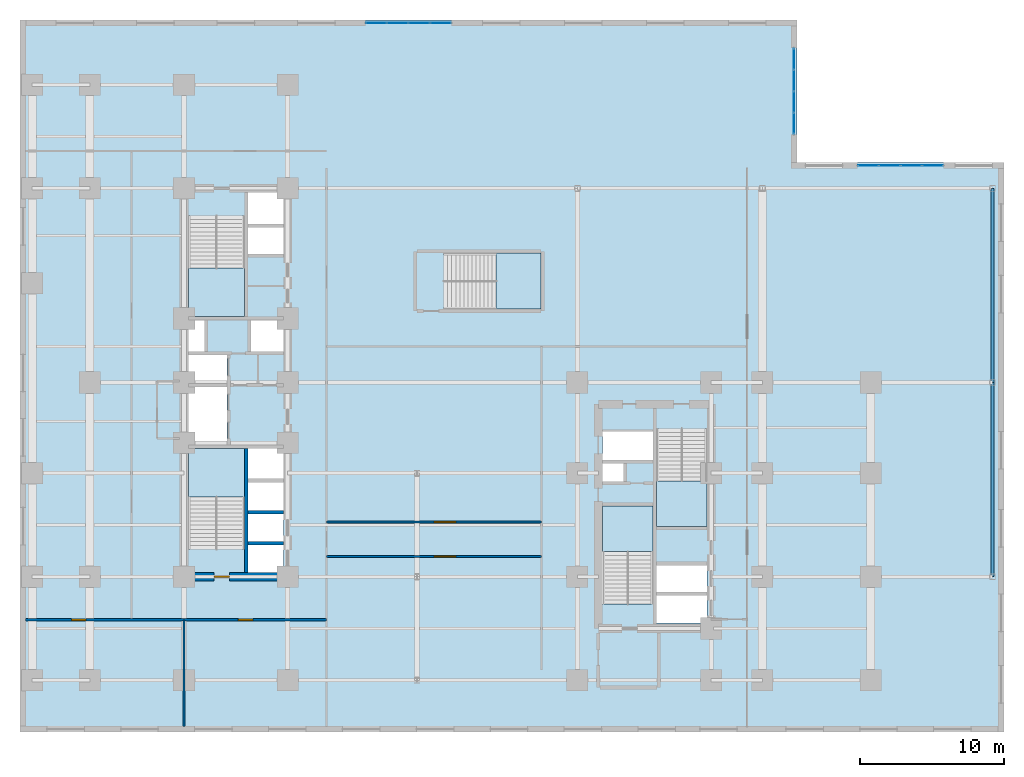
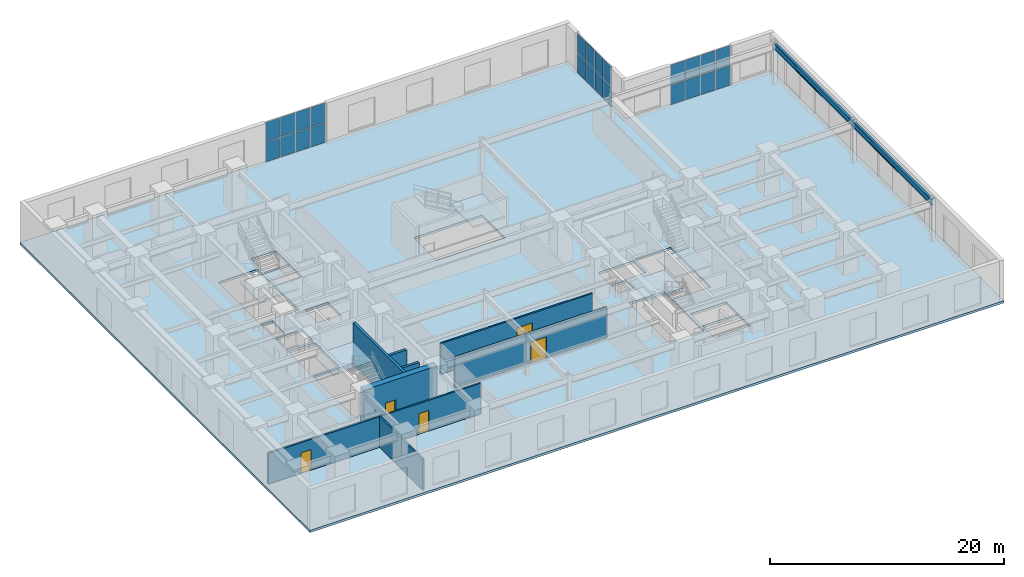
# One storey, part 8 of 15: 24 plates, 8 walls, 6 slabs, 5 doors, 2 beams, 5 openings, 8 elements without a shape of their own.
"""IFC4 building model written with IfcOpenShell, lengths in metres."""

from ifc_helpers import new_model, entity, si_unit, converted_unit, direction, frame, origin_with_axes, origin_2d_with_axis, place, context, subcontext, project, spatial, polyline, rectangle, i_section, outline, extrude, material, layer, layer_set, material_profile, profile_set, type_object, element, fill, aggregate, save


model = new_model("IFC4")

# Units and contexts
model_context = context("Model", 3, precision=1e-05, world=origin_with_axes(), true_north=direction((0.0, 1.0)))
body_context = subcontext(model_context, "Body", "Model", "MODEL_VIEW")
ifc_project = project(units=[si_unit("LENGTHUNIT", "METRE"), si_unit("AREAUNIT", "SQUARE_METRE"), si_unit("VOLUMEUNIT", "CUBIC_METRE"), converted_unit("PLANEANGLEUNIT", "DEGREE", entity("IfcPlaneAngleMeasure", 0.017453292519943295), si_unit("PLANEANGLEUNIT", "RADIAN"), dimensions=[0, 0, 0, 0, 0, 0, 0]), si_unit("MASSUNIT", "GRAM", prefix="KILO"), si_unit("THERMODYNAMICTEMPERATUREUNIT", "KELVIN")], contexts=[model_context])

# Site, building, storey
site_placement = place(None, origin_with_axes())
site = spatial("IfcSite", under=ifc_project, at=site_placement, CompositionType="ELEMENT")
building_placement = place(site_placement, origin_with_axes())
building = spatial("IfcBuilding", under=site, at=building_placement, Name="Varnlund Millrace Tower", CompositionType="ELEMENT")
storey_placement = place(building_placement, frame((0.0, 0.0, 10.8), z_axis=(0.0, 0.0, 1.0), x_axis=(1.0, 0.0, 0.0)))
storey = spatial("IfcBuildingStorey", under=building, at=storey_placement, Name="L02", CompositionType="ELEMENT", Elevation=10.8)

# Beams
ifc_material_1 = material(Name="Steel ASTM A992 Grade 50", Category="steel")
ifc_material_profile = material_profile(ifc_material_1, i_section(OverallWidth=0.228, OverallDepth=0.607, WebThickness=0.0112, FlangeThickness=0.0173, FilletRadius=0.015, at=origin_2d_with_axis()), Name="Steel ASTM A992 Grade 50")
ifc_profile_set = profile_set([ifc_material_profile], Name="Steel ASTM A992 Grade 50")
beam_type = type_object("IfcBeamType", Name="Type-Beam-W24X76", PredefinedType="BEAM", material=ifc_profile_set)
for number, where, z_axis, x_axis, name in (
    (1, (67.6, 10.8, 3.9565), (0.0, 1.0, 0.0), (-1.0, 0.0, 0.0), "Type-Beam-W24X76"),
    (2, (67.6, 24.3, 3.9565), (0.0, 1.0, 0.0), (-1.0, 0.0, 0.0), "Type-Beam-W24X76"),
):
    element("IfcBeam", number, at=place(storey_placement, frame(where, z_axis=z_axis, x_axis=x_axis)), inside=storey, type_object=beam_type, Name=name, PredefinedType="BEAM", context=body_context, shape_type="SweptSolid", body=[
        extrude(i_section(OverallWidth=0.228, OverallDepth=0.607, WebThickness=0.0112, FlangeThickness=0.0173, FilletRadius=0.015, at=origin_2d_with_axis()), origin_with_axes(), (0.0, 0.0, 1.0), 13.5),
    ])

# Curtain wall, plates
ifc_material_2 = material(Name="Thermally broken architectural bronze curtain wall", Category="aluminium")
curtain_wall_type = type_object("IfcCurtainWallType", Name="Type-CW-Sys3-PortalBridge", PredefinedType="NOTDEFINED", material=ifc_material_2)
curtain_wall_1_placement = place(storey_placement, frame((58.2, 39.39, 0.0), z_axis=(0.0, 0.0, 1.0), x_axis=(1.0, 0.0, 0.0)))
curtain_wall_1 = element("IfcCurtainWall", 3, at=curtain_wall_1_placement, inside=storey, type_object=curtain_wall_type, Name="Type-CW-Sys3-PortalBridge", PredefinedType="NOTDEFINED")
ifc_material_3 = material(Name="Low-e argon triple-glazed curtain-wall unit", Category="glass")
ifc_layer_1 = layer(ifc_material_3, 0.028, Name="Low-e argon triple-glazed curtain-wall unit")
ifc_layer_set_1 = layer_set([ifc_layer_1], Name="Low-e argon triple-glazed curtain-wall unit")
plate_type = type_object("IfcPlateType", Name="Type-CW-Panel-TripleGlazed-28", PredefinedType="CURTAIN_PANEL", material=ifc_layer_set_1)
plate_1_placement = place(storey_placement, frame((58.965, 39.39, 0.06), z_axis=(0.0, 0.0, 1.0), x_axis=(1.0, 0.0, 0.0)))
plate_1 = element("IfcPlate", 4, at=plate_1_placement, type_object=plate_type, Name="CW-03 panel 1.1", PredefinedType="CURTAIN_PANEL", context=body_context, shape_type="SweptSolid", body=[
    extrude(rectangle(XDim=1.41, YDim=0.028, at=origin_2d_with_axis()), origin_with_axes(), (0.0, 0.0, 1.0), 2.04),
])
plate_2_placement = place(storey_placement, frame((58.965, 39.39, 2.16), z_axis=(0.0, 0.0, 1.0), x_axis=(1.0, 0.0, 0.0)))
plate_2 = element("IfcPlate", 5, at=plate_2_placement, type_object=plate_type, Name="CW-03 panel 1.2", PredefinedType="CURTAIN_PANEL", context=body_context, shape_type="SweptSolid", body=[
    extrude(rectangle(XDim=1.41, YDim=0.028, at=origin_2d_with_axis()), origin_with_axes(), (0.0, 0.0, 1.0), 2.04),
])
plate_3_placement = place(storey_placement, frame((60.45, 39.39, 0.06), z_axis=(0.0, 0.0, 1.0), x_axis=(1.0, 0.0, 0.0)))
plate_3 = element("IfcPlate", 6, at=plate_3_placement, type_object=plate_type, Name="CW-03 panel 2.1", PredefinedType="CURTAIN_PANEL", context=body_context, shape_type="SweptSolid", body=[
    extrude(rectangle(XDim=1.44, YDim=0.028, at=origin_2d_with_axis()), origin_with_axes(), (0.0, 0.0, 1.0), 2.04),
])
plate_4_placement = place(storey_placement, frame((60.45, 39.39, 2.16), z_axis=(0.0, 0.0, 1.0), x_axis=(1.0, 0.0, 0.0)))
plate_4 = element("IfcPlate", 7, at=plate_4_placement, type_object=plate_type, Name="CW-03 panel 2.2", PredefinedType="CURTAIN_PANEL", context=body_context, shape_type="SweptSolid", body=[
    extrude(rectangle(XDim=1.44, YDim=0.028, at=origin_2d_with_axis()), origin_with_axes(), (0.0, 0.0, 1.0), 2.04),
])
plate_5_placement = place(storey_placement, frame((61.95, 39.39, 0.06), z_axis=(0.0, 0.0, 1.0), x_axis=(1.0, 0.0, 0.0)))
plate_5 = element("IfcPlate", 8, at=plate_5_placement, type_object=plate_type, Name="CW-03 panel 3.1", PredefinedType="CURTAIN_PANEL", context=body_context, shape_type="SweptSolid", body=[
    extrude(rectangle(XDim=1.44, YDim=0.028, at=origin_2d_with_axis()), origin_with_axes(), (0.0, 0.0, 1.0), 2.04),
])
plate_6_placement = place(storey_placement, frame((61.95, 39.39, 2.16), z_axis=(0.0, 0.0, 1.0), x_axis=(1.0, 0.0, 0.0)))
plate_6 = element("IfcPlate", 9, at=plate_6_placement, type_object=plate_type, Name="CW-03 panel 3.2", PredefinedType="CURTAIN_PANEL", context=body_context, shape_type="SweptSolid", body=[
    extrude(rectangle(XDim=1.44, YDim=0.028, at=origin_2d_with_axis()), origin_with_axes(), (0.0, 0.0, 1.0), 2.04),
])
plate_7_placement = place(storey_placement, frame((63.435, 39.39, 0.06), z_axis=(0.0, 0.0, 1.0), x_axis=(1.0, 0.0, 0.0)))
plate_7 = element("IfcPlate", 10, at=plate_7_placement, type_object=plate_type, Name="CW-03 panel 4.1", PredefinedType="CURTAIN_PANEL", context=body_context, shape_type="SweptSolid", body=[
    extrude(rectangle(XDim=1.41, YDim=0.028, at=origin_2d_with_axis()), origin_with_axes(), (0.0, 0.0, 1.0), 2.04),
])
plate_8_placement = place(storey_placement, frame((63.435, 39.39, 2.16), z_axis=(0.0, 0.0, 1.0), x_axis=(1.0, 0.0, 0.0)))
plate_8 = element("IfcPlate", 11, at=plate_8_placement, type_object=plate_type, Name="CW-03 panel 4.2", PredefinedType="CURTAIN_PANEL", context=body_context, shape_type="SweptSolid", body=[
    extrude(rectangle(XDim=1.41, YDim=0.028, at=origin_2d_with_axis()), origin_with_axes(), (0.0, 0.0, 1.0), 2.04),
])
aggregate(curtain_wall_1, [plate_1, plate_2, plate_3, plate_4, plate_5, plate_6, plate_7, plate_8])

curtain_wall_2_placement = place(storey_placement, frame((53.79, 47.55, 0.0), z_axis=(0.0, 0.0, 1.0), x_axis=(1.0, 0.0, 0.0)))
curtain_wall_2 = element("IfcCurtainWall", 12, at=curtain_wall_2_placement, inside=storey, type_object=curtain_wall_type, Name="Type-CW-Sys3-PortalBridge", PredefinedType="NOTDEFINED")
plate_9_placement = place(storey_placement, frame((53.79, 46.785, 0.06), z_axis=(0.0, 0.0, 1.0), x_axis=(0.0, -1.0, 0.0)))
plate_9 = element("IfcPlate", 13, at=plate_9_placement, type_object=plate_type, Name="CW-03 panel 1.1", PredefinedType="CURTAIN_PANEL", context=body_context, shape_type="SweptSolid", body=[
    extrude(rectangle(XDim=1.41, YDim=0.028, at=origin_2d_with_axis()), origin_with_axes(), (0.0, 0.0, 1.0), 2.04),
])
plate_10_placement = place(storey_placement, frame((53.79, 46.785, 2.16), z_axis=(0.0, 0.0, 1.0), x_axis=(0.0, -1.0, 0.0)))
plate_10 = element("IfcPlate", 14, at=plate_10_placement, type_object=plate_type, Name="CW-03 panel 1.2", PredefinedType="CURTAIN_PANEL", context=body_context, shape_type="SweptSolid", body=[
    extrude(rectangle(XDim=1.41, YDim=0.028, at=origin_2d_with_axis()), origin_with_axes(), (0.0, 0.0, 1.0), 2.04),
])
plate_11_placement = place(storey_placement, frame((53.79, 45.3, 0.06), z_axis=(0.0, 0.0, 1.0), x_axis=(0.0, -1.0, 0.0)))
plate_11 = element("IfcPlate", 15, at=plate_11_placement, type_object=plate_type, Name="CW-03 panel 2.1", PredefinedType="CURTAIN_PANEL", context=body_context, shape_type="SweptSolid", body=[
    extrude(rectangle(XDim=1.44, YDim=0.028, at=origin_2d_with_axis()), origin_with_axes(), (0.0, 0.0, 1.0), 2.04),
])
plate_12_placement = place(storey_placement, frame((53.79, 45.3, 2.16), z_axis=(0.0, 0.0, 1.0), x_axis=(0.0, -1.0, 0.0)))
plate_12 = element("IfcPlate", 16, at=plate_12_placement, type_object=plate_type, Name="CW-03 panel 2.2", PredefinedType="CURTAIN_PANEL", context=body_context, shape_type="SweptSolid", body=[
    extrude(rectangle(XDim=1.44, YDim=0.028, at=origin_2d_with_axis()), origin_with_axes(), (0.0, 0.0, 1.0), 2.04),
])
plate_13_placement = place(storey_placement, frame((53.79, 43.8, 0.06), z_axis=(0.0, 0.0, 1.0), x_axis=(0.0, -1.0, 0.0)))
plate_13 = element("IfcPlate", 17, at=plate_13_placement, type_object=plate_type, Name="CW-03 panel 3.1", PredefinedType="CURTAIN_PANEL", context=body_context, shape_type="SweptSolid", body=[
    extrude(rectangle(XDim=1.44, YDim=0.028, at=origin_2d_with_axis()), origin_with_axes(), (0.0, 0.0, 1.0), 2.04),
])
plate_14_placement = place(storey_placement, frame((53.79, 43.8, 2.16), z_axis=(0.0, 0.0, 1.0), x_axis=(0.0, -1.0, 0.0)))
plate_14 = element("IfcPlate", 18, at=plate_14_placement, type_object=plate_type, Name="CW-03 panel 3.2", PredefinedType="CURTAIN_PANEL", context=body_context, shape_type="SweptSolid", body=[
    extrude(rectangle(XDim=1.44, YDim=0.028, at=origin_2d_with_axis()), origin_with_axes(), (0.0, 0.0, 1.0), 2.04),
])
plate_15_placement = place(storey_placement, frame((53.79, 42.315, 0.06), z_axis=(0.0, 0.0, 1.0), x_axis=(0.0, -1.0, 0.0)))
plate_15 = element("IfcPlate", 19, at=plate_15_placement, type_object=plate_type, Name="CW-03 panel 4.1", PredefinedType="CURTAIN_PANEL", context=body_context, shape_type="SweptSolid", body=[
    extrude(rectangle(XDim=1.41, YDim=0.028, at=origin_2d_with_axis()), origin_with_axes(), (0.0, 0.0, 1.0), 2.04),
])
plate_16_placement = place(storey_placement, frame((53.79, 42.315, 2.16), z_axis=(0.0, 0.0, 1.0), x_axis=(0.0, -1.0, 0.0)))
plate_16 = element("IfcPlate", 20, at=plate_16_placement, type_object=plate_type, Name="CW-03 panel 4.2", PredefinedType="CURTAIN_PANEL", context=body_context, shape_type="SweptSolid", body=[
    extrude(rectangle(XDim=1.41, YDim=0.028, at=origin_2d_with_axis()), origin_with_axes(), (0.0, 0.0, 1.0), 2.04),
])
aggregate(curtain_wall_2, [plate_9, plate_10, plate_11, plate_12, plate_13, plate_14, plate_15, plate_16])

curtain_wall_3_placement = place(storey_placement, frame((24.0, 49.29, 0.0), z_axis=(0.0, 0.0, 1.0), x_axis=(1.0, 0.0, 0.0)))
curtain_wall_3 = element("IfcCurtainWall", 21, at=curtain_wall_3_placement, inside=storey, type_object=curtain_wall_type, Name="Type-CW-Sys3-PortalBridge", PredefinedType="NOTDEFINED")
plate_17_placement = place(storey_placement, frame((24.765, 49.29, 0.06), z_axis=(0.0, 0.0, 1.0), x_axis=(1.0, 0.0, 0.0)))
plate_17 = element("IfcPlate", 22, at=plate_17_placement, type_object=plate_type, Name="CW-03 panel 1.1", PredefinedType="CURTAIN_PANEL", context=body_context, shape_type="SweptSolid", body=[
    extrude(rectangle(XDim=1.41, YDim=0.028, at=origin_2d_with_axis()), origin_with_axes(), (0.0, 0.0, 1.0), 2.04),
])
plate_18_placement = place(storey_placement, frame((24.765, 49.29, 2.16), z_axis=(0.0, 0.0, 1.0), x_axis=(1.0, 0.0, 0.0)))
plate_18 = element("IfcPlate", 23, at=plate_18_placement, type_object=plate_type, Name="CW-03 panel 1.2", PredefinedType="CURTAIN_PANEL", context=body_context, shape_type="SweptSolid", body=[
    extrude(rectangle(XDim=1.41, YDim=0.028, at=origin_2d_with_axis()), origin_with_axes(), (0.0, 0.0, 1.0), 2.04),
])
plate_19_placement = place(storey_placement, frame((26.25, 49.29, 0.06), z_axis=(0.0, 0.0, 1.0), x_axis=(1.0, 0.0, 0.0)))
plate_19 = element("IfcPlate", 24, at=plate_19_placement, type_object=plate_type, Name="CW-03 panel 2.1", PredefinedType="CURTAIN_PANEL", context=body_context, shape_type="SweptSolid", body=[
    extrude(rectangle(XDim=1.44, YDim=0.028, at=origin_2d_with_axis()), origin_with_axes(), (0.0, 0.0, 1.0), 2.04),
])
plate_20_placement = place(storey_placement, frame((26.25, 49.29, 2.16), z_axis=(0.0, 0.0, 1.0), x_axis=(1.0, 0.0, 0.0)))
plate_20 = element("IfcPlate", 25, at=plate_20_placement, type_object=plate_type, Name="CW-03 panel 2.2", PredefinedType="CURTAIN_PANEL", context=body_context, shape_type="SweptSolid", body=[
    extrude(rectangle(XDim=1.44, YDim=0.028, at=origin_2d_with_axis()), origin_with_axes(), (0.0, 0.0, 1.0), 2.04),
])
plate_21_placement = place(storey_placement, frame((27.75, 49.29, 0.06), z_axis=(0.0, 0.0, 1.0), x_axis=(1.0, 0.0, 0.0)))
plate_21 = element("IfcPlate", 26, at=plate_21_placement, type_object=plate_type, Name="CW-03 panel 3.1", PredefinedType="CURTAIN_PANEL", context=body_context, shape_type="SweptSolid", body=[
    extrude(rectangle(XDim=1.44, YDim=0.028, at=origin_2d_with_axis()), origin_with_axes(), (0.0, 0.0, 1.0), 2.04),
])
plate_22_placement = place(storey_placement, frame((27.75, 49.29, 2.16), z_axis=(0.0, 0.0, 1.0), x_axis=(1.0, 0.0, 0.0)))
plate_22 = element("IfcPlate", 27, at=plate_22_placement, type_object=plate_type, Name="CW-03 panel 3.2", PredefinedType="CURTAIN_PANEL", context=body_context, shape_type="SweptSolid", body=[
    extrude(rectangle(XDim=1.44, YDim=0.028, at=origin_2d_with_axis()), origin_with_axes(), (0.0, 0.0, 1.0), 2.04),
])
plate_23_placement = place(storey_placement, frame((29.235, 49.29, 0.06), z_axis=(0.0, 0.0, 1.0), x_axis=(1.0, 0.0, 0.0)))
plate_23 = element("IfcPlate", 28, at=plate_23_placement, type_object=plate_type, Name="CW-03 panel 4.1", PredefinedType="CURTAIN_PANEL", context=body_context, shape_type="SweptSolid", body=[
    extrude(rectangle(XDim=1.41, YDim=0.028, at=origin_2d_with_axis()), origin_with_axes(), (0.0, 0.0, 1.0), 2.04),
])
plate_24_placement = place(storey_placement, frame((29.235, 49.29, 2.16), z_axis=(0.0, 0.0, 1.0), x_axis=(1.0, 0.0, 0.0)))
plate_24 = element("IfcPlate", 29, at=plate_24_placement, type_object=plate_type, Name="CW-03 panel 4.2", PredefinedType="CURTAIN_PANEL", context=body_context, shape_type="SweptSolid", body=[
    extrude(rectangle(XDim=1.41, YDim=0.028, at=origin_2d_with_axis()), origin_with_axes(), (0.0, 0.0, 1.0), 2.04),
])
aggregate(curtain_wall_3, [plate_17, plate_18, plate_19, plate_20, plate_21, plate_22, plate_23, plate_24])

# Slab
ifc_material_4 = material(Name="Concrete C60/75", Category="concrete")
ifc_layer_2 = layer(ifc_material_4, 0.24, Name="Concrete C60/75")
ifc_layer_set_2 = layer_set([ifc_layer_2], Name="Concrete C60/75")
slab_type_1 = type_object("IfcSlabType", Name="Type-Deck-Plate-Typical-240", PredefinedType="FLOOR", material=ifc_layer_set_2)
slab_1_placement = place(storey_placement, frame((0.0, 0.0, -0.24), z_axis=(0.0, 0.0, 1.0), x_axis=(1.0, 0.0, 0.0)))
element("IfcSlab", 30, at=slab_1_placement, inside=storey, type_object=slab_type_1, Name="Type-Deck-Plate-Typical-240", PredefinedType="FLOOR", context=body_context, shape_type="SweptSolid", body=[
    extrude(outline(polyline([(68.4, 39.6), (54.0, 39.6), (54.0, 49.5), (0.0, 49.5), (0.0, 0.0), (68.4, 0.0), (68.4, 39.6)]), holes=[polyline([(18.3, 11.1), (15.84, 11.1), (15.84, 13.1), (18.3, 13.1), (18.3, 11.1)]), polyline([(18.3, 13.16), (15.84, 13.16), (15.84, 15.24), (18.3, 15.24), (18.3, 13.16)]), polyline([(15.6, 12.715), (11.7, 12.715), (11.7, 19.7), (15.6, 19.7), (15.6, 12.715)]), polyline([(15.84, 15.34), (15.84, 17.46), (18.3, 17.46), (18.3, 15.34), (15.84, 15.34)]), polyline([(15.84, 17.52), (15.84, 19.7), (18.3, 19.7), (18.3, 17.52), (15.84, 17.52)]), polyline([(11.7, 23.98), (14.38, 23.98), (14.38, 19.94), (11.7, 19.94), (11.7, 23.98)]), polyline([(14.38, 24.24), (11.7, 24.24), (11.7, 26.2), (14.38, 26.2), (14.38, 24.24)]), polyline([(11.7, 26.46), (11.7, 28.65), (12.84, 28.65), (12.84, 26.46), (11.7, 26.46)]), polyline([(11.7, 28.9), (11.7, 35.885), (15.6, 35.885), (15.6, 28.9), (11.7, 28.9)]), polyline([(47.75, 7.6), (44.25, 7.6), (44.25, 9.6), (47.75, 9.6), (47.75, 7.6)]), polyline([(47.75, 9.66), (44.25, 9.66), (44.25, 11.68), (47.75, 11.68), (47.75, 9.66)]), polyline([(44.0, 8.915), (40.5, 8.915), (40.5, 15.7), (44.0, 15.7), (44.0, 8.915)]), polyline([(44.25, 14.3), (44.25, 21.085), (47.75, 21.085), (47.75, 14.3), (44.25, 14.3)]), polyline([(40.5, 17.42), (40.5, 18.72), (41.95, 18.72), (41.95, 17.42), (40.5, 17.42)]), polyline([(44.0, 18.88), (40.5, 18.88), (40.5, 20.94), (44.0, 20.94), (44.0, 18.88)]), polyline([(18.3, 26.46), (16.04, 26.46), (16.04, 28.65), (18.3, 28.65), (18.3, 26.46)]), polyline([(36.2, 29.4), (29.465, 29.4), (29.465, 33.3), (36.2, 33.3), (36.2, 29.4)]), polyline([(15.84, 33.12), (15.84, 35.18), (18.3, 35.18), (18.3, 33.12), (15.84, 33.12)]), polyline([(15.84, 35.22), (15.84, 37.5), (18.3, 37.5), (18.3, 35.22), (15.84, 35.22)])]), origin_with_axes(), (0.0, 0.0, 1.0), 0.24),
])

# Stair, slab
ifc_material_5 = material(Name="Concrete C50/60", Category="concrete")
stair_type_1 = type_object("IfcStairType", Name="Type-Stair-Dogleg-185-450", PredefinedType="HALF_TURN_STAIR", material=ifc_material_5)
stair_1_placement = place(storey_placement, origin_with_axes())
stair_1 = element("IfcStair", 31, at=stair_1_placement, inside=storey, type_object=stair_type_1, Name="Type-Stair-Dogleg-185-450", PredefinedType="HALF_TURN_STAIR")
ifc_layer_3 = layer(ifc_material_5, 0.2, Name="Concrete C50/60")
ifc_layer_set_3 = layer_set([ifc_layer_3], Name="Concrete C50/60")
slab_type_2 = type_object("IfcSlabType", Name="Type-StairLanding-200", PredefinedType="LANDING", material=ifc_layer_set_3)
slab_2_placement = place(storey_placement, frame((0.0, 0.0, 2.05), z_axis=(0.0, 0.0, 1.0), x_axis=(1.0, 0.0, 0.0)))
slab_2 = element("IfcSlab", 32, at=slab_2_placement, type_object=slab_type_2, Name="ST-A1 landing 1", PredefinedType="LANDING", context=body_context, shape_type="SweptSolid", body=[
    extrude(outline(polyline([(15.6, 16.34), (15.6, 19.7), (11.7, 19.7), (11.7, 16.34), (15.6, 16.34)])), origin_with_axes(), (0.0, 0.0, 1.0), 0.2),
])
aggregate(stair_1, [slab_2])

stair_2_placement = place(storey_placement, origin_with_axes())
stair_2 = element("IfcStair", 33, at=stair_2_placement, inside=storey, type_object=stair_type_1, Name="Type-Stair-Dogleg-185-450", PredefinedType="HALF_TURN_STAIR")
slab_3_placement = place(storey_placement, frame((0.0, 0.0, 2.05), z_axis=(0.0, 0.0, 1.0), x_axis=(1.0, 0.0, 0.0)))
slab_3 = element("IfcSlab", 34, at=slab_3_placement, type_object=slab_type_2, Name="ST-A2 landing 1", PredefinedType="LANDING", context=body_context, shape_type="SweptSolid", body=[
    extrude(outline(polyline([(11.7, 32.26), (11.7, 28.9), (15.6, 28.9), (15.6, 32.26), (11.7, 32.26)])), origin_with_axes(), (0.0, 0.0, 1.0), 0.2),
])
aggregate(stair_2, [slab_3])

stair_type_2 = type_object("IfcStairType", Name="Type-Stair-Dogleg-165-450", PredefinedType="HALF_TURN_STAIR", material=ifc_material_5)
stair_3_placement = place(storey_placement, origin_with_axes())
stair_3 = element("IfcStair", 35, at=stair_3_placement, inside=storey, type_object=stair_type_2, Name="Type-Stair-Dogleg-165-450", PredefinedType="HALF_TURN_STAIR")
slab_4_placement = place(storey_placement, frame((0.0, 0.0, 2.05), z_axis=(0.0, 0.0, 1.0), x_axis=(1.0, 0.0, 0.0)))
slab_4 = element("IfcSlab", 36, at=slab_4_placement, type_object=slab_type_2, Name="ST-B1 landing 1", PredefinedType="LANDING", context=body_context, shape_type="SweptSolid", body=[
    extrude(outline(polyline([(44.0, 12.54), (44.0, 15.7), (40.5, 15.7), (40.5, 12.54), (44.0, 12.54)])), origin_with_axes(), (0.0, 0.0, 1.0), 0.2),
])
aggregate(stair_3, [slab_4])

stair_4_placement = place(storey_placement, origin_with_axes())
stair_4 = element("IfcStair", 37, at=stair_4_placement, inside=storey, type_object=stair_type_2, Name="Type-Stair-Dogleg-165-450", PredefinedType="HALF_TURN_STAIR")
slab_5_placement = place(storey_placement, frame((0.0, 0.0, 2.05), z_axis=(0.0, 0.0, 1.0), x_axis=(1.0, 0.0, 0.0)))
slab_5 = element("IfcSlab", 38, at=slab_5_placement, type_object=slab_type_2, Name="ST-B2 landing 1", PredefinedType="LANDING", context=body_context, shape_type="SweptSolid", body=[
    extrude(outline(polyline([(44.25, 17.46), (44.25, 14.3), (47.75, 14.3), (47.75, 17.46), (44.25, 17.46)])), origin_with_axes(), (0.0, 0.0, 1.0), 0.2),
])
aggregate(stair_4, [slab_5])

stair_5_placement = place(storey_placement, origin_with_axes())
stair_5 = element("IfcStair", 39, at=stair_5_placement, inside=storey, type_object=stair_type_1, Name="Type-Stair-Dogleg-185-450", PredefinedType="HALF_TURN_STAIR")
slab_6_placement = place(storey_placement, frame((0.0, 0.0, 2.05), z_axis=(0.0, 0.0, 1.0), x_axis=(1.0, 0.0, 0.0)))
slab_6 = element("IfcSlab", 40, at=slab_6_placement, type_object=slab_type_2, Name="ST-P1 landing 1", PredefinedType="LANDING", context=body_context, shape_type="SweptSolid", body=[
    extrude(outline(polyline([(33.09, 29.4), (36.2, 29.4), (36.2, 33.3), (33.09, 33.3), (33.09, 29.4)])), origin_with_axes(), (0.0, 0.0, 1.0), 0.2),
])
aggregate(stair_5, [slab_6])

# Wall, opening, door
ifc_material_6 = material(Name="Concrete C80/95", Category="concrete")
ifc_layer_4 = layer(ifc_material_6, 0.6, Name="Concrete C80/95")
ifc_layer_set_4 = layer_set([ifc_layer_4], Name="Concrete C80/95")
wall_type_1 = type_object("IfcWallType", Name="Type-CoreWall-Shear-600-C80", PredefinedType="SHEAR", material=ifc_layer_set_4)
wall_1_placement = place(storey_placement, frame((11.4, 10.8, 0.0), z_axis=(0.0, 0.0, 1.0), x_axis=(1.0, 0.0, 0.0)))
wall_1 = element("IfcWall", 41, at=wall_1_placement, inside=storey, type_object=wall_type_1, Name="Type-CoreWall-Shear-600-C80", PredefinedType="SHEAR", context=body_context, shape_type="SweptSolid", body=[
    extrude(outline(polyline([(0.0, -0.3), (7.2, -0.3), (7.2, 0.3), (0.0, 0.3), (0.0, -0.3)])), origin_with_axes(), (0.0, 0.0, 1.0), 4.26),
])
opening_1_placement = place(wall_1_placement, frame((2.625, 0.0, 0.0), z_axis=(0.0, 0.0, 1.0), x_axis=(1.0, 0.0, 0.0)))
opening_1 = element("IfcOpeningElement", 42, at=opening_1_placement, cuts=wall_1, Name="Opening L02:DR-STA1", PredefinedType="OPENING", context=body_context, shape_type="SweptSolid", body=[
    extrude(rectangle(XDim=1.05, YDim=0.62, at=origin_2d_with_axis()), origin_with_axes(), (0.0, 0.0, 1.0), 2.15),
])
ifc_material_7 = material(Name="Fire-rated hollow steel door", Category="steel")
door_type_1 = type_object("IfcDoorType", Name="Type-FireDoor-Stair-1050X2150", OperationType="NOTDEFINED", PredefinedType="DOOR", material=ifc_material_7)
door_1_placement = place(wall_1_placement, frame((2.625, 0.0, 0.0), z_axis=(0.0, 0.0, 1.0), x_axis=(1.0, 0.0, 0.0)))
door_1 = element("IfcDoor", 43, at=door_1_placement, inside=storey, type_object=door_type_1, Name="Type-FireDoor-Stair-1050X2150", OperationType="SINGLE_SWING_LEFT", OverallHeight=2.15, OverallWidth=1.05, PredefinedType="DOOR", context=body_context, shape_type="SweptSolid", body=[
    extrude(rectangle(XDim=1.05, YDim=0.09, at=origin_2d_with_axis()), origin_with_axes(), (0.0, 0.0, 1.0), 2.15),
])
fill(opening_1, door_1)

# Wall, openings, doors
ifc_material_8 = material(Name="Fire-rated gypsum board on cold-formed steel framing", Category="steel")
ifc_layer_5 = layer(ifc_material_8, 0.16, Name="Fire-rated gypsum board on cold-formed steel framing")
ifc_layer_set_5 = layer_set([ifc_layer_5], Name="Fire-rated gypsum board on cold-formed steel framing")
wall_type_2 = type_object("IfcWallType", Name="Type-Partition-Corridor-160", PredefinedType="PARTITIONING", material=ifc_layer_set_5)
wall_2_placement = place(storey_placement, frame((0.38, 7.8, 0.0), z_axis=(0.0, 0.0, 1.0), x_axis=(1.0, 0.0, 0.0)))
wall_2 = element("IfcWall", 44, at=wall_2_placement, inside=storey, type_object=wall_type_2, Name="Type-Partition-Corridor-160", PredefinedType="PARTITIONING", context=body_context, shape_type="SweptSolid", body=[
    extrude(outline(polyline([(0.0, -0.08), (20.92, -0.08), (20.92, 0.08), (0.0, 0.08), (0.0, -0.08)])), origin_with_axes(), (0.0, 0.0, 1.0), 3.2),
])
opening_2_placement = place(wall_2_placement, frame((3.7, 0.0, 0.0), z_axis=(0.0, 0.0, 1.0), x_axis=(1.0, 0.0, 0.0)))
opening_2 = element("IfcOpeningElement", 45, at=opening_2_placement, cuts=wall_2, Name="Opening L02:DR-POD-SW1", PredefinedType="OPENING", context=body_context, shape_type="SweptSolid", body=[
    extrude(rectangle(XDim=1.0, YDim=0.18, at=origin_2d_with_axis()), origin_with_axes(), (0.0, 0.0, 1.0), 2.15),
])
opening_3_placement = place(wall_2_placement, frame((15.3, 0.0, 0.0), z_axis=(0.0, 0.0, 1.0), x_axis=(1.0, 0.0, 0.0)))
opening_3 = element("IfcOpeningElement", 46, at=opening_3_placement, cuts=wall_2, Name="Opening L02:DR-POD-SW2", PredefinedType="OPENING", context=body_context, shape_type="SweptSolid", body=[
    extrude(rectangle(XDim=1.0, YDim=0.18, at=origin_2d_with_axis()), origin_with_axes(), (0.0, 0.0, 1.0), 2.15),
])
ifc_material_9 = material(Name="Solid-core white oak and bronze frame door")
door_type_2 = type_object("IfcDoorType", Name="Type-IntDoor-Office-1000X2150", OperationType="NOTDEFINED", PredefinedType="DOOR", material=ifc_material_9)
door_2_placement = place(wall_2_placement, frame((3.7, 0.0, 0.0), z_axis=(0.0, 0.0, 1.0), x_axis=(1.0, 0.0, 0.0)))
door_2 = element("IfcDoor", 47, at=door_2_placement, inside=storey, type_object=door_type_2, Name="Type-IntDoor-Office-1000X2150", OperationType="SINGLE_SWING_LEFT", OverallHeight=2.15, OverallWidth=1.0, PredefinedType="DOOR", context=body_context, shape_type="SweptSolid", body=[
    extrude(rectangle(XDim=1.0, YDim=0.09, at=origin_2d_with_axis()), origin_with_axes(), (0.0, 0.0, 1.0), 2.15),
])
fill(opening_2, door_2)
door_3_placement = place(wall_2_placement, frame((15.3, 0.0, 0.0), z_axis=(0.0, 0.0, 1.0), x_axis=(1.0, 0.0, 0.0)))
door_3 = element("IfcDoor", 48, at=door_3_placement, inside=storey, type_object=door_type_2, Name="Type-IntDoor-Office-1000X2150", OperationType="SINGLE_SWING_RIGHT", OverallHeight=2.15, OverallWidth=1.0, PredefinedType="DOOR", context=body_context, shape_type="SweptSolid", body=[
    extrude(rectangle(XDim=1.0, YDim=0.09, at=origin_2d_with_axis()), origin_with_axes(), (0.0, 0.0, 1.0), 2.15),
])
fill(opening_3, door_3)

# Wall, opening, door
wall_3_placement = place(storey_placement, frame((21.3, 12.2, 0.0), z_axis=(0.0, 0.0, 1.0), x_axis=(1.0, 0.0, 0.0)))
wall_3 = element("IfcWall", 49, at=wall_3_placement, inside=storey, type_object=wall_type_2, Name="Type-Partition-Corridor-160", PredefinedType="PARTITIONING", context=body_context, shape_type="SweptSolid", body=[
    extrude(outline(polyline([(0.0, -0.08), (14.95, -0.08), (14.95, 0.08), (0.0, 0.08), (0.0, -0.08)])), origin_with_axes(), (0.0, 0.0, 1.0), 3.2),
])
opening_4_placement = place(wall_3_placement, frame((8.25, 0.0, 0.0), z_axis=(0.0, 0.0, 1.0), x_axis=(1.0, 0.0, 0.0)))
opening_4 = element("IfcOpeningElement", 50, at=opening_4_placement, cuts=wall_3, Name="Opening L02:DR-POD-E1S", PredefinedType="OPENING", context=body_context, shape_type="SweptSolid", body=[
    extrude(rectangle(XDim=1.5, YDim=0.18, at=origin_2d_with_axis()), origin_with_axes(), (0.0, 0.0, 1.0), 2.2),
])
ifc_material_10 = material(Name="Architectural bronze and acoustic glass double door", Category="glass")
door_type_3 = type_object("IfcDoorType", Name="Type-IntDoor-SuitePair-1500X2200", OperationType="NOTDEFINED", PredefinedType="DOOR", material=ifc_material_10)
door_4_placement = place(wall_3_placement, frame((8.25, 0.0, 0.0), z_axis=(0.0, 0.0, 1.0), x_axis=(1.0, 0.0, 0.0)))
door_4 = element("IfcDoor", 51, at=door_4_placement, inside=storey, type_object=door_type_3, Name="Type-IntDoor-SuitePair-1500X2200", OperationType="DOUBLE_DOOR_SINGLE_SWING", OverallHeight=2.2, OverallWidth=1.5, PredefinedType="DOOR", context=body_context, shape_type="SweptSolid", body=[
    extrude(rectangle(XDim=1.5, YDim=0.09, at=origin_2d_with_axis()), origin_with_axes(), (0.0, 0.0, 1.0), 2.2),
])
fill(opening_4, door_4)

wall_4_placement = place(storey_placement, frame((21.3, 14.6, 0.0), z_axis=(0.0, 0.0, 1.0), x_axis=(1.0, 0.0, 0.0)))
wall_4 = element("IfcWall", 52, at=wall_4_placement, inside=storey, type_object=wall_type_2, Name="Type-Partition-Corridor-160", PredefinedType="PARTITIONING", context=body_context, shape_type="SweptSolid", body=[
    extrude(outline(polyline([(0.0, -0.08), (14.95, -0.08), (14.95, 0.08), (0.0, 0.08), (0.0, -0.08)])), origin_with_axes(), (0.0, 0.0, 1.0), 3.2),
])
opening_5_placement = place(wall_4_placement, frame((8.25, 0.0, 0.0), z_axis=(0.0, 0.0, 1.0), x_axis=(1.0, 0.0, 0.0)))
opening_5 = element("IfcOpeningElement", 53, at=opening_5_placement, cuts=wall_4, Name="Opening L02:DR-POD-E1N", PredefinedType="OPENING", context=body_context, shape_type="SweptSolid", body=[
    extrude(rectangle(XDim=1.5, YDim=0.18, at=origin_2d_with_axis()), origin_with_axes(), (0.0, 0.0, 1.0), 2.2),
])
door_5_placement = place(wall_4_placement, frame((8.25, 0.0, 0.0), z_axis=(0.0, 0.0, 1.0), x_axis=(1.0, 0.0, 0.0)))
door_5 = element("IfcDoor", 54, at=door_5_placement, inside=storey, type_object=door_type_3, Name="Type-IntDoor-SuitePair-1500X2200", OperationType="DOUBLE_DOOR_SINGLE_SWING", OverallHeight=2.2, OverallWidth=1.5, PredefinedType="DOOR", context=body_context, shape_type="SweptSolid", body=[
    extrude(rectangle(XDim=1.5, YDim=0.09, at=origin_2d_with_axis()), origin_with_axes(), (0.0, 0.0, 1.0), 2.2),
])
fill(opening_5, door_5)

# Walls
ifc_material_11 = material(Name="Acoustic STC-50 gypsum board partition", Category="gypsum")
ifc_layer_6 = layer(ifc_material_11, 0.15, Name="Acoustic STC-50 gypsum board partition")
ifc_layer_set_6 = layer_set([ifc_layer_6], Name="Acoustic STC-50 gypsum board partition")
wall_type_3 = type_object("IfcWallType", Name="Type-Partition-Demising-150", PredefinedType="PARTITIONING", material=ifc_layer_set_6)
wall_5_placement = place(storey_placement, frame((11.4, 0.38, 0.0), z_axis=(0.0, 0.0, 1.0), x_axis=(0.0, 1.0, 0.0)))
element("IfcWall", 55, at=wall_5_placement, inside=storey, type_object=wall_type_3, Name="Type-Partition-Demising-150", PredefinedType="PARTITIONING", context=body_context, shape_type="SweptSolid", body=[
    extrude(outline(polyline([(0.0, -0.075), (7.42, -0.075), (7.42, 0.075), (0.0, 0.075), (0.0, -0.075)])), origin_with_axes(), (0.0, 0.0, 1.0), 3.2),
])
ifc_layer_7 = layer(ifc_material_4, 0.25, Name="Concrete C60/75")
ifc_layer_set_7 = layer_set([ifc_layer_7], Name="Concrete C60/75")
wall_type_4 = type_object("IfcWallType", Name="Type-ShaftWall-Fire-250", PredefinedType="SOLIDWALL", material=ifc_layer_set_7)
for number, where, z_axis, x_axis, name in (
    (56, (15.84, 13.13, 0.0), (0.0, 0.0, 1.0), (1.0, 0.0, 0.0), "Type-ShaftWall-Fire-250"),
    (57, (15.84, 15.29, 0.0), (0.0, 0.0, 1.0), (1.0, 0.0, 0.0), "Type-ShaftWall-Fire-250"),
):
    element("IfcWall", number, at=place(storey_placement, frame(where, z_axis=z_axis, x_axis=x_axis)), inside=storey, type_object=wall_type_4, Name=name, PredefinedType="SOLIDWALL", context=body_context, shape_type="SweptSolid", body=[
        extrude(outline(polyline([(0.0, -0.125), (2.46, -0.125), (2.46, 0.125), (0.0, 0.125), (0.0, -0.125)])), origin_with_axes(), (0.0, 0.0, 1.0), 3.2),
    ])
wall_type_5 = type_object("IfcWallType", Name="Type-StairWall-Shear-250", PredefinedType="SHEAR", material=ifc_layer_set_7)
wall_6_placement = place(storey_placement, frame((15.725, 11.1, 0.0), z_axis=(0.0, 0.0, 1.0), x_axis=(0.0, 1.0, 0.0)))
element("IfcWall", 58, at=wall_6_placement, inside=storey, type_object=wall_type_5, Name="Type-StairWall-Shear-250", PredefinedType="SHEAR", context=body_context, shape_type="SweptSolid", body=[
    extrude(outline(polyline([(0.0, -0.125), (8.6, -0.125), (8.6, 0.125), (0.0, 0.125), (0.0, -0.125)])), origin_with_axes(), (0.0, 0.0, 1.0), 4.26),
])

save(model, "model.ifc")
